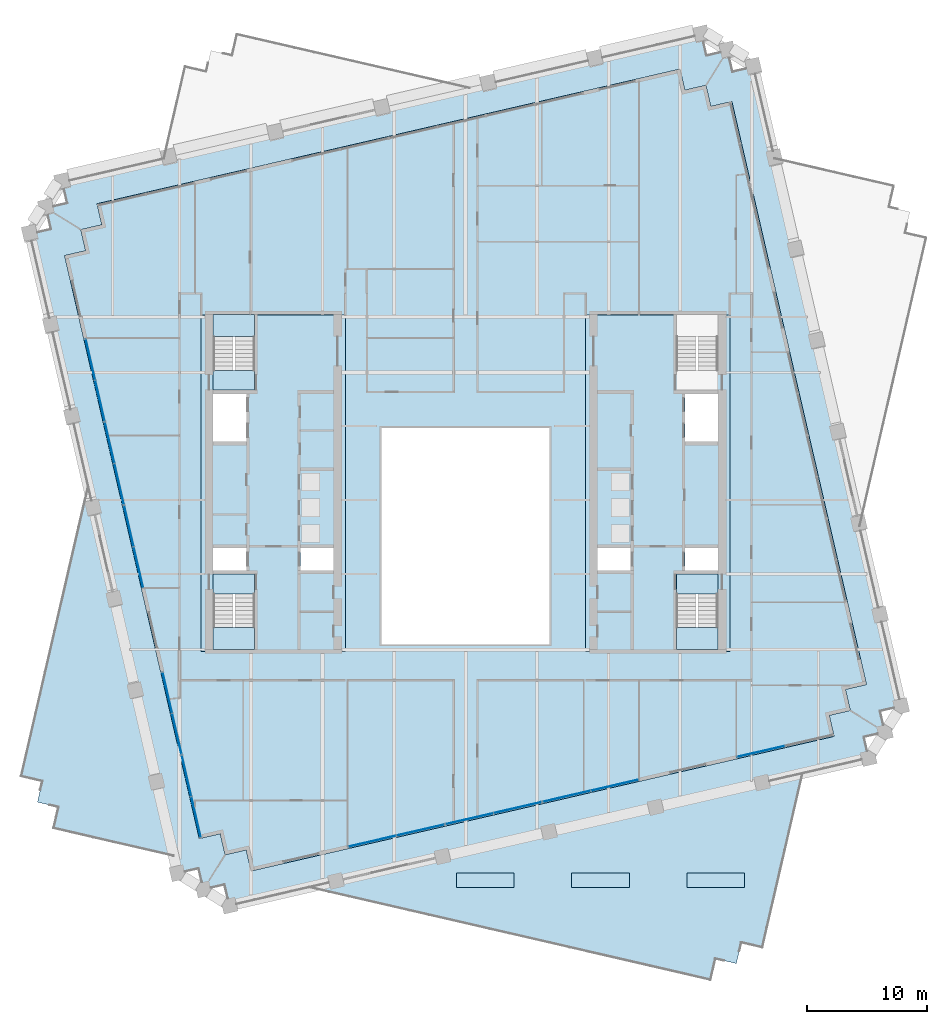
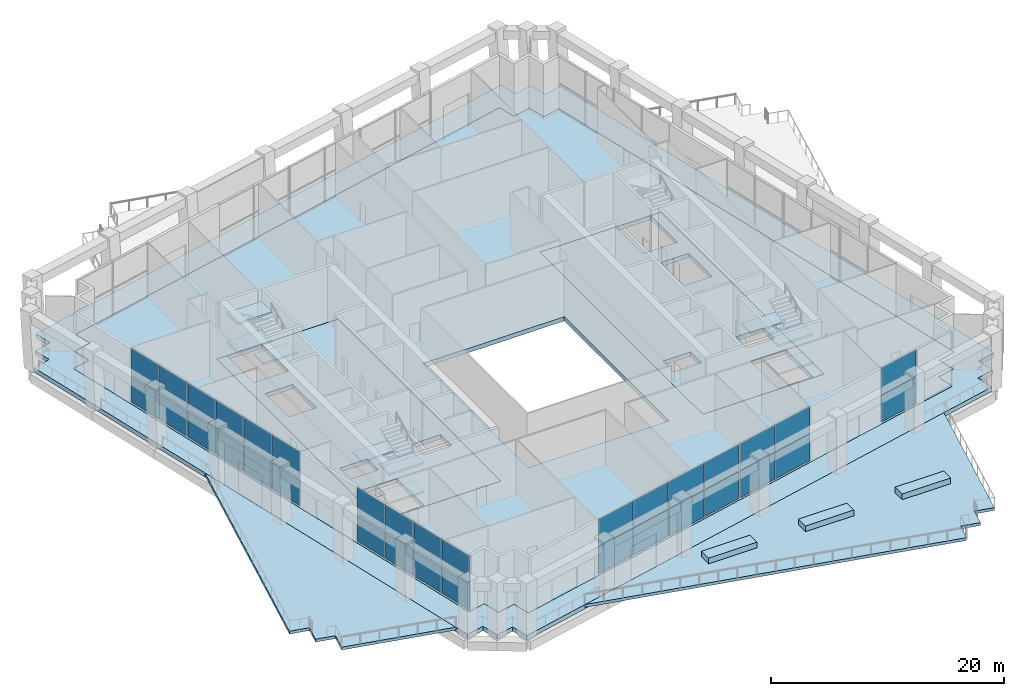
# One storey, part 10 of 24: 34 plates, 18 slabs, 12 elements without a shape of their own.
"""IFC4 building model written with IfcOpenShell, lengths in metres."""

from ifc_helpers import new_model, si_unit, direction, frame, origin, origin_2d, place, context, subcontext, project, spatial, polyline, rectangle, outline, extrude, material, layer, layer_set, type_object, element, aggregate, save


model = new_model("IFC4")

# Units and contexts
model_context = context("Model", 3, precision=1e-05, world=origin(), true_north=direction((0.0, 1.0)))
body_context = subcontext(model_context, "Body", "Model", "MODEL_VIEW")
ifc_project = project(units=[si_unit("LENGTHUNIT", "METRE"), si_unit("AREAUNIT", "SQUARE_METRE"), si_unit("VOLUMEUNIT", "CUBIC_METRE"), si_unit("PLANEANGLEUNIT", "RADIAN"), si_unit("MASSUNIT", "GRAM", prefix="KILO")], contexts=[model_context])

# Site, building, storey
site_placement = place(None, origin())
site = spatial("IfcSite", under=ifc_project, at=site_placement, CompositionType="ELEMENT")
building_placement = place(site_placement, origin())
building = spatial("IfcBuilding", under=site, at=building_placement, Name="Ogive Exchange Tower", CompositionType="ELEMENT")
storey_placement = place(building_placement, frame((0.0, 0.0, 165.60009765625)))
storey = spatial("IfcBuildingStorey", under=building, at=storey_placement, Name="L36", CompositionType="ELEMENT", Elevation=165.60009765625)

# Slabs
ifc_material_1 = material(Name="Concrete C70/85", Category="concrete")
ifc_layer_1 = layer(ifc_material_1, 0.449951171875)
ifc_layer_set_1 = layer_set([ifc_layer_1], Name="Core floor slab 450")
slab_type_1 = type_object("IfcSlabType", Name="Core floor slab 450", PredefinedType="FLOOR", material=ifc_layer_set_1)
slab_1_placement = place(storey_placement, frame((0.0, 0.0, -0.4501953125)))
element("IfcSlab", 1, at=slab_1_placement, inside=storey, type_object=slab_type_1, Name="Core floor slab", PredefinedType="FLOOR", context=body_context, shape_type="SweptSolid", body=[
    extrude(outline(polyline([(-10.0, 25.39990234375), (-10.0, -2.60009765625), (-22.0, -2.60009765625), (-22.0, 25.39990234375), (-21.0, 25.39990234375), (-21.0, 20.803955078125), (-17.550048828125, 20.803955078125), (-17.550048828125, 25.39990234375), (-10.0, 25.39990234375)]), holes=[polyline([(-17.550048828125, 2.196044921875), (-21.0, 2.196044921875), (-21.0, -2.449951171875), (-17.550048828125, -2.449951171875), (-17.550048828125, 2.196044921875)]), polyline([(-21.0, 5.992919921875), (-21.0, 4.14990234375), (-18.25, 4.14990234375), (-18.25, 5.992919921875), (-21.0, 5.992919921875)]), polyline([(-13.75, 5.992919921875), (-13.75, 4.14990234375), (-11.0, 4.14990234375), (-11.0, 5.992919921875), (-13.75, 5.992919921875)]), polyline([(-18.25, 18.85009765625), (-21.0, 18.85009765625), (-21.0, 14.8642578125), (-18.25, 14.8642578125), (-18.25, 18.85009765625)])]), origin(), (0.0, 0.0, 1.0), 0.4501953125),
])
slab_2_placement = place(storey_placement, frame((0.0, 0.0, -0.4501953125)))
element("IfcSlab", 2, at=slab_2_placement, inside=storey, type_object=slab_type_1, Name="Core floor slab", PredefinedType="FLOOR", context=body_context, shape_type="SweptSolid", body=[
    extrude(outline(polyline([(22.0, 25.39990234375), (22.0, -2.60009765625), (10.0, -2.60009765625), (10.0, 25.39990234375), (17.550048828125, 25.39990234375), (17.550048828125, 20.803955078125), (21.0, 20.803955078125), (21.0, 25.39990234375), (22.0, 25.39990234375)]), holes=[polyline([(21.0, 2.196044921875), (17.550048828125, 2.196044921875), (17.550048828125, -2.449951171875), (21.0, -2.449951171875), (21.0, 2.196044921875)]), polyline([(11.0, 5.992919921875), (11.0, 4.14990234375), (13.75, 4.14990234375), (13.75, 5.992919921875), (11.0, 5.992919921875)]), polyline([(18.25, 5.992919921875), (18.25, 4.14990234375), (21.0, 4.14990234375), (21.0, 5.992919921875), (18.25, 5.992919921875)]), polyline([(21.0, 18.85009765625), (18.25, 18.85009765625), (18.25, 14.8642578125), (21.0, 14.8642578125), (21.0, 18.85009765625)])]), origin(), (0.0, 0.0, 1.0), 0.4501953125),
])

# Curtain wall, plates
ifc_material_2 = material(Name="Anodised aluminium and clear glass", Category="aluminium")
curtain_wall_type = type_object("IfcCurtainWallType", Name="Winter garden glazing", PredefinedType="NOTDEFINED", material=ifc_material_2)
curtain_wall_1_placement = place(storey_placement, origin())
curtain_wall_1 = element("IfcCurtainWall", 3, at=curtain_wall_1_placement, inside=storey, type_object=curtain_wall_type, Name="Winter garden glazing run G2", PredefinedType="NOTDEFINED")
ifc_material_3 = material(Name="Clear glass", Category="glass")
ifc_layer_2 = layer(ifc_material_3, 0.035888671875)
ifc_layer_set_2 = layer_set([ifc_layer_2], Name="Laminated clear glass panel 36")
plate_type = type_object("IfcPlateType", Name="Laminated clear glass panel 36", PredefinedType="CURTAIN_PANEL", material=ifc_layer_set_2)
plate_1_placement = place(storey_placement, frame((-7.755859375, -18.38623046875, 0.080078125), z_axis=(0.0, 0.0, 1.0), x_axis=(0.974370073289, 0.224951017509, 0.0)))
plate_1 = element("IfcPlate", 4, at=plate_1_placement, type_object=plate_type, Name="G2 panel 1.1", PredefinedType="CURTAIN_PANEL", context=body_context, shape_type="SweptSolid", body=[
    extrude(rectangle(XDim=4.030029296875, YDim=0.035888671875, at=origin_2d()), origin(), (0.0, 0.0, 1.0), 2.780029296875),
])
plate_2_placement = place(storey_placement, frame((-7.755859375, -18.38623046875, 2.93994140625), z_axis=(0.0, 0.0, 1.0), x_axis=(0.974370073289, 0.224951017509, 0.0)))
plate_2 = element("IfcPlate", 5, at=plate_2_placement, type_object=plate_type, Name="G2 panel 1.2", PredefinedType="CURTAIN_PANEL", context=body_context, shape_type="SweptSolid", body=[
    extrude(rectangle(XDim=4.030029296875, YDim=0.035888671875, at=origin_2d()), origin(), (0.0, 0.0, 1.0), 2.780029296875),
])
plate_3_placement = place(storey_placement, frame((-3.751220703125, -17.461669921875, 0.080078125), z_axis=(0.0, 0.0, 1.0), x_axis=(0.974370073289, 0.224951017509, 0.0)))
plate_3 = element("IfcPlate", 6, at=plate_3_placement, type_object=plate_type, Name="G2 panel 2.1", PredefinedType="CURTAIN_PANEL", context=body_context, shape_type="SweptSolid", body=[
    extrude(rectangle(XDim=4.030029296875, YDim=0.035888671875, at=origin_2d()), origin(), (0.0, 0.0, 1.0), 2.780029296875),
])
plate_4_placement = place(storey_placement, frame((-3.751220703125, -17.461669921875, 2.93994140625), z_axis=(0.0, 0.0, 1.0), x_axis=(0.974370073289, 0.224951017509, 0.0)))
plate_4 = element("IfcPlate", 7, at=plate_4_placement, type_object=plate_type, Name="G2 panel 2.2", PredefinedType="CURTAIN_PANEL", context=body_context, shape_type="SweptSolid", body=[
    extrude(rectangle(XDim=4.030029296875, YDim=0.035888671875, at=origin_2d()), origin(), (0.0, 0.0, 1.0), 2.780029296875),
])
aggregate(curtain_wall_1, [plate_1, plate_2, plate_3, plate_4])

curtain_wall_2_placement = place(storey_placement, origin())
curtain_wall_2 = element("IfcCurtainWall", 8, at=curtain_wall_2_placement, inside=storey, type_object=curtain_wall_type, Name="Winter garden glazing run G3", PredefinedType="NOTDEFINED")
plate_5_placement = place(storey_placement, frame((0.331298828125, -16.519287109375, 0.080078125), z_axis=(0.0, 0.0, 1.0), x_axis=(0.974370073289, 0.224951017509, 0.0)))
plate_5 = element("IfcPlate", 9, at=plate_5_placement, type_object=plate_type, Name="G3 panel 1.1", PredefinedType="CURTAIN_PANEL", context=body_context, shape_type="SweptSolid", body=[
    extrude(rectangle(XDim=4.030029296875, YDim=0.035888671875, at=origin_2d()), origin(), (0.0, 0.0, 1.0), 2.780029296875),
])
plate_6_placement = place(storey_placement, frame((0.331298828125, -16.519287109375, 2.93994140625), z_axis=(0.0, 0.0, 1.0), x_axis=(0.974370073289, 0.224951017509, 0.0)))
plate_6 = element("IfcPlate", 10, at=plate_6_placement, type_object=plate_type, Name="G3 panel 1.2", PredefinedType="CURTAIN_PANEL", context=body_context, shape_type="SweptSolid", body=[
    extrude(rectangle(XDim=4.030029296875, YDim=0.035888671875, at=origin_2d()), origin(), (0.0, 0.0, 1.0), 2.780029296875),
])
plate_7_placement = place(storey_placement, frame((4.336181640625, -15.5947265625, 0.080078125), z_axis=(0.0, 0.0, 1.0), x_axis=(0.974370073289, 0.224951017509, 0.0)))
plate_7 = element("IfcPlate", 11, at=plate_7_placement, type_object=plate_type, Name="G3 panel 2.1", PredefinedType="CURTAIN_PANEL", context=body_context, shape_type="SweptSolid", body=[
    extrude(rectangle(XDim=4.030029296875, YDim=0.035888671875, at=origin_2d()), origin(), (0.0, 0.0, 1.0), 2.780029296875),
])
plate_8_placement = place(storey_placement, frame((4.336181640625, -15.5947265625, 2.93994140625), z_axis=(0.0, 0.0, 1.0), x_axis=(0.974370073289, 0.224951017509, 0.0)))
plate_8 = element("IfcPlate", 12, at=plate_8_placement, type_object=plate_type, Name="G3 panel 2.2", PredefinedType="CURTAIN_PANEL", context=body_context, shape_type="SweptSolid", body=[
    extrude(rectangle(XDim=4.030029296875, YDim=0.035888671875, at=origin_2d()), origin(), (0.0, 0.0, 1.0), 2.780029296875),
])
aggregate(curtain_wall_2, [plate_5, plate_6, plate_7, plate_8])

curtain_wall_3_placement = place(storey_placement, origin())
curtain_wall_3 = element("IfcCurtainWall", 13, at=curtain_wall_3_placement, inside=storey, type_object=curtain_wall_type, Name="Winter garden glazing run G4", PredefinedType="NOTDEFINED")
plate_9_placement = place(storey_placement, frame((8.418701171875, -14.652099609375, 0.080078125), z_axis=(0.0, 0.0, 1.0), x_axis=(0.974369463608, 0.224953658314, 0.0)))
plate_9 = element("IfcPlate", 14, at=plate_9_placement, type_object=plate_type, Name="G4 panel 1.1", PredefinedType="CURTAIN_PANEL", context=body_context, shape_type="SweptSolid", body=[
    extrude(rectangle(XDim=4.030029296875, YDim=0.035888671875, at=origin_2d()), origin(), (0.0, 0.0, 1.0), 2.780029296875),
])
plate_10_placement = place(storey_placement, frame((8.418701171875, -14.652099609375, 2.93994140625), z_axis=(0.0, 0.0, 1.0), x_axis=(0.974369463608, 0.224953658314, 0.0)))
plate_10 = element("IfcPlate", 15, at=plate_10_placement, type_object=plate_type, Name="G4 panel 1.2", PredefinedType="CURTAIN_PANEL", context=body_context, shape_type="SweptSolid", body=[
    extrude(rectangle(XDim=4.030029296875, YDim=0.035888671875, at=origin_2d()), origin(), (0.0, 0.0, 1.0), 2.780029296875),
])
plate_11_placement = place(storey_placement, frame((12.42333984375, -13.7275390625, 0.080078125), z_axis=(0.0, 0.0, 1.0), x_axis=(0.974369463608, 0.224953658314, 0.0)))
plate_11 = element("IfcPlate", 16, at=plate_11_placement, type_object=plate_type, Name="G4 panel 2.1", PredefinedType="CURTAIN_PANEL", context=body_context, shape_type="SweptSolid", body=[
    extrude(rectangle(XDim=4.030029296875, YDim=0.035888671875, at=origin_2d()), origin(), (0.0, 0.0, 1.0), 2.780029296875),
])
plate_12_placement = place(storey_placement, frame((12.42333984375, -13.7275390625, 2.93994140625), z_axis=(0.0, 0.0, 1.0), x_axis=(0.974369463608, 0.224953658314, 0.0)))
plate_12 = element("IfcPlate", 17, at=plate_12_placement, type_object=plate_type, Name="G4 panel 2.2", PredefinedType="CURTAIN_PANEL", context=body_context, shape_type="SweptSolid", body=[
    extrude(rectangle(XDim=4.030029296875, YDim=0.035888671875, at=origin_2d()), origin(), (0.0, 0.0, 1.0), 2.780029296875),
])
aggregate(curtain_wall_3, [plate_9, plate_10, plate_11, plate_12])

curtain_wall_4_placement = place(storey_placement, origin())
curtain_wall_4 = element("IfcCurtainWall", 18, at=curtain_wall_4_placement, inside=storey, type_object=curtain_wall_type, Name="Winter garden glazing run G6", PredefinedType="NOTDEFINED")
plate_13_placement = place(storey_placement, frame((24.59326171875, -10.91796875, 0.080078125), z_axis=(0.0, 0.0, 1.0), x_axis=(0.974370073289, 0.224951017509, 0.0)))
plate_13 = element("IfcPlate", 19, at=plate_13_placement, type_object=plate_type, Name="G6 panel 1.1", PredefinedType="CURTAIN_PANEL", context=body_context, shape_type="SweptSolid", body=[
    extrude(rectangle(XDim=4.030029296875, YDim=0.035888671875, at=origin_2d()), origin(), (0.0, 0.0, 1.0), 2.780029296875),
])
plate_14_placement = place(storey_placement, frame((24.59326171875, -10.91796875, 2.93994140625), z_axis=(0.0, 0.0, 1.0), x_axis=(0.974370073289, 0.224951017509, 0.0)))
plate_14 = element("IfcPlate", 20, at=plate_14_placement, type_object=plate_type, Name="G6 panel 1.2", PredefinedType="CURTAIN_PANEL", context=body_context, shape_type="SweptSolid", body=[
    extrude(rectangle(XDim=4.030029296875, YDim=0.035888671875, at=origin_2d()), origin(), (0.0, 0.0, 1.0), 2.780029296875),
])
aggregate(curtain_wall_4, [plate_13, plate_14])

curtain_wall_5_placement = place(storey_placement, origin())
curtain_wall_5 = element("IfcCurtainWall", 21, at=curtain_wall_5_placement, inside=storey, type_object=curtain_wall_type, Name="Winter garden glazing run G21", PredefinedType="NOTDEFINED")
plate_15_placement = place(storey_placement, frame((-31.2197265625, 21.699951171875, 0.080078125), z_axis=(0.0, 0.0, 1.0), x_axis=(0.224957031035, -0.974368684938, 0.0)))
plate_15 = element("IfcPlate", 22, at=plate_15_placement, type_object=plate_type, Name="G21 panel 1.1", PredefinedType="CURTAIN_PANEL", context=body_context, shape_type="SweptSolid", body=[
    extrude(rectangle(XDim=3.43701171875, YDim=0.035888671875, at=origin_2d()), origin(), (0.0, 0.0, 1.0), 2.780029296875),
])
plate_16_placement = place(storey_placement, frame((-31.2197265625, 21.699951171875, 2.93994140625), z_axis=(0.0, 0.0, 1.0), x_axis=(0.224957031035, -0.974368684938, 0.0)))
plate_16 = element("IfcPlate", 23, at=plate_16_placement, type_object=plate_type, Name="G21 panel 1.2", PredefinedType="CURTAIN_PANEL", context=body_context, shape_type="SweptSolid", body=[
    extrude(rectangle(XDim=3.43701171875, YDim=0.035888671875, at=origin_2d()), origin(), (0.0, 0.0, 1.0), 2.780029296875),
])
plate_17_placement = place(storey_placement, frame((-30.428466796875, 18.27294921875, 0.080078125), z_axis=(0.0, 0.0, 1.0), x_axis=(0.224957031035, -0.974368684938, 0.0)))
plate_17 = element("IfcPlate", 24, at=plate_17_placement, type_object=plate_type, Name="G21 panel 2.1", PredefinedType="CURTAIN_PANEL", context=body_context, shape_type="SweptSolid", body=[
    extrude(rectangle(XDim=3.43701171875, YDim=0.035888671875, at=origin_2d()), origin(), (0.0, 0.0, 1.0), 2.780029296875),
])
plate_18_placement = place(storey_placement, frame((-30.428466796875, 18.27294921875, 2.93994140625), z_axis=(0.0, 0.0, 1.0), x_axis=(0.224957031035, -0.974368684938, 0.0)))
plate_18 = element("IfcPlate", 25, at=plate_18_placement, type_object=plate_type, Name="G21 panel 2.2", PredefinedType="CURTAIN_PANEL", context=body_context, shape_type="SweptSolid", body=[
    extrude(rectangle(XDim=3.43701171875, YDim=0.035888671875, at=origin_2d()), origin(), (0.0, 0.0, 1.0), 2.780029296875),
])
aggregate(curtain_wall_5, [plate_15, plate_16, plate_17, plate_18])

curtain_wall_6_placement = place(storey_placement, origin())
curtain_wall_6 = element("IfcCurtainWall", 26, at=curtain_wall_6_placement, inside=storey, type_object=curtain_wall_type, Name="Winter garden glazing run G22", PredefinedType="NOTDEFINED")
plate_19_placement = place(storey_placement, frame((-29.619384765625, 14.76806640625, 0.080078125), z_axis=(0.0, 0.0, 1.0), x_axis=(0.224940605185, -0.974372477105, 0.0)))
plate_19 = element("IfcPlate", 27, at=plate_19_placement, type_object=plate_type, Name="G22 panel 1.1", PredefinedType="CURTAIN_PANEL", context=body_context, shape_type="SweptSolid", body=[
    extrude(rectangle(XDim=3.437255859375, YDim=0.035888671875, at=origin_2d()), origin(), (0.0, 0.0, 1.0), 2.780029296875),
])
plate_20_placement = place(storey_placement, frame((-29.619384765625, 14.76806640625, 2.93994140625), z_axis=(0.0, 0.0, 1.0), x_axis=(0.224940605185, -0.974372477105, 0.0)))
plate_20 = element("IfcPlate", 28, at=plate_20_placement, type_object=plate_type, Name="G22 panel 1.2", PredefinedType="CURTAIN_PANEL", context=body_context, shape_type="SweptSolid", body=[
    extrude(rectangle(XDim=3.437255859375, YDim=0.035888671875, at=origin_2d()), origin(), (0.0, 0.0, 1.0), 2.780029296875),
])
plate_21_placement = place(storey_placement, frame((-28.828125, 11.341064453125, 0.080078125), z_axis=(0.0, 0.0, 1.0), x_axis=(0.224940605185, -0.974372477105, 0.0)))
plate_21 = element("IfcPlate", 29, at=plate_21_placement, type_object=plate_type, Name="G22 panel 2.1", PredefinedType="CURTAIN_PANEL", context=body_context, shape_type="SweptSolid", body=[
    extrude(rectangle(XDim=3.437255859375, YDim=0.035888671875, at=origin_2d()), origin(), (0.0, 0.0, 1.0), 2.780029296875),
])
plate_22_placement = place(storey_placement, frame((-28.828125, 11.341064453125, 2.93994140625), z_axis=(0.0, 0.0, 1.0), x_axis=(0.224940605185, -0.974372477105, 0.0)))
plate_22 = element("IfcPlate", 30, at=plate_22_placement, type_object=plate_type, Name="G22 panel 2.2", PredefinedType="CURTAIN_PANEL", context=body_context, shape_type="SweptSolid", body=[
    extrude(rectangle(XDim=3.437255859375, YDim=0.035888671875, at=origin_2d()), origin(), (0.0, 0.0, 1.0), 2.780029296875),
])
aggregate(curtain_wall_6, [plate_19, plate_20, plate_21, plate_22])

curtain_wall_7_placement = place(storey_placement, origin())
curtain_wall_7 = element("IfcCurtainWall", 31, at=curtain_wall_7_placement, inside=storey, type_object=curtain_wall_type, Name="Winter garden glazing run G23", PredefinedType="NOTDEFINED")
plate_23_placement = place(storey_placement, frame((-28.01904296875, 7.836181640625, 0.080078125), z_axis=(0.0, 0.0, 1.0), x_axis=(0.224957031035, -0.974368684938, 0.0)))
plate_23 = element("IfcPlate", 32, at=plate_23_placement, type_object=plate_type, Name="G23 panel 1.1", PredefinedType="CURTAIN_PANEL", context=body_context, shape_type="SweptSolid", body=[
    extrude(rectangle(XDim=3.43701171875, YDim=0.035888671875, at=origin_2d()), origin(), (0.0, 0.0, 1.0), 2.780029296875),
])
plate_24_placement = place(storey_placement, frame((-28.01904296875, 7.836181640625, 2.93994140625), z_axis=(0.0, 0.0, 1.0), x_axis=(0.224957031035, -0.974368684938, 0.0)))
plate_24 = element("IfcPlate", 33, at=plate_24_placement, type_object=plate_type, Name="G23 panel 1.2", PredefinedType="CURTAIN_PANEL", context=body_context, shape_type="SweptSolid", body=[
    extrude(rectangle(XDim=3.43701171875, YDim=0.035888671875, at=origin_2d()), origin(), (0.0, 0.0, 1.0), 2.780029296875),
])
plate_25_placement = place(storey_placement, frame((-27.227783203125, 4.4091796875, 0.080078125), z_axis=(0.0, 0.0, 1.0), x_axis=(0.224957031035, -0.974368684938, 0.0)))
plate_25 = element("IfcPlate", 34, at=plate_25_placement, type_object=plate_type, Name="G23 panel 2.1", PredefinedType="CURTAIN_PANEL", context=body_context, shape_type="SweptSolid", body=[
    extrude(rectangle(XDim=3.43701171875, YDim=0.035888671875, at=origin_2d()), origin(), (0.0, 0.0, 1.0), 2.780029296875),
])
plate_26_placement = place(storey_placement, frame((-27.227783203125, 4.4091796875, 2.93994140625), z_axis=(0.0, 0.0, 1.0), x_axis=(0.224957031035, -0.974368684938, 0.0)))
plate_26 = element("IfcPlate", 35, at=plate_26_placement, type_object=plate_type, Name="G23 panel 2.2", PredefinedType="CURTAIN_PANEL", context=body_context, shape_type="SweptSolid", body=[
    extrude(rectangle(XDim=3.43701171875, YDim=0.035888671875, at=origin_2d()), origin(), (0.0, 0.0, 1.0), 2.780029296875),
])
aggregate(curtain_wall_7, [plate_23, plate_24, plate_25, plate_26])

curtain_wall_8_placement = place(storey_placement, origin())
curtain_wall_8 = element("IfcCurtainWall", 36, at=curtain_wall_8_placement, inside=storey, type_object=curtain_wall_type, Name="Winter garden glazing run G25", PredefinedType="NOTDEFINED")
plate_27_placement = place(storey_placement, frame((-24.818115234375, -6.02783203125, 0.080078125), z_axis=(0.0, 0.0, 1.0), x_axis=(0.224943685993, -0.974371765874, 0.0)))
plate_27 = element("IfcPlate", 37, at=plate_27_placement, type_object=plate_type, Name="G25 panel 1.1", PredefinedType="CURTAIN_PANEL", context=body_context, shape_type="SweptSolid", body=[
    extrude(rectangle(XDim=3.43701171875, YDim=0.035888671875, at=origin_2d()), origin(), (0.0, 0.0, 1.0), 2.780029296875),
])
plate_28_placement = place(storey_placement, frame((-24.818115234375, -6.02783203125, 2.93994140625), z_axis=(0.0, 0.0, 1.0), x_axis=(0.224943685993, -0.974371765874, 0.0)))
plate_28 = element("IfcPlate", 38, at=plate_28_placement, type_object=plate_type, Name="G25 panel 1.2", PredefinedType="CURTAIN_PANEL", context=body_context, shape_type="SweptSolid", body=[
    extrude(rectangle(XDim=3.43701171875, YDim=0.035888671875, at=origin_2d()), origin(), (0.0, 0.0, 1.0), 2.780029296875),
])
plate_29_placement = place(storey_placement, frame((-24.027099609375, -9.454833984375, 0.080078125), z_axis=(0.0, 0.0, 1.0), x_axis=(0.224943685993, -0.974371765874, 0.0)))
plate_29 = element("IfcPlate", 39, at=plate_29_placement, type_object=plate_type, Name="G25 panel 2.1", PredefinedType="CURTAIN_PANEL", context=body_context, shape_type="SweptSolid", body=[
    extrude(rectangle(XDim=3.43701171875, YDim=0.035888671875, at=origin_2d()), origin(), (0.0, 0.0, 1.0), 2.780029296875),
])
plate_30_placement = place(storey_placement, frame((-24.027099609375, -9.454833984375, 2.93994140625), z_axis=(0.0, 0.0, 1.0), x_axis=(0.224943685993, -0.974371765874, 0.0)))
plate_30 = element("IfcPlate", 40, at=plate_30_placement, type_object=plate_type, Name="G25 panel 2.2", PredefinedType="CURTAIN_PANEL", context=body_context, shape_type="SweptSolid", body=[
    extrude(rectangle(XDim=3.43701171875, YDim=0.035888671875, at=origin_2d()), origin(), (0.0, 0.0, 1.0), 2.780029296875),
])
aggregate(curtain_wall_8, [plate_27, plate_28, plate_29, plate_30])

curtain_wall_9_placement = place(storey_placement, origin())
curtain_wall_9 = element("IfcCurtainWall", 41, at=curtain_wall_9_placement, inside=storey, type_object=curtain_wall_type, Name="Winter garden glazing run G26", PredefinedType="NOTDEFINED")
plate_31_placement = place(storey_placement, frame((-23.218017578125, -12.959716796875, 0.080078125), z_axis=(0.0, 0.0, 1.0), x_axis=(0.224953950051, -0.974369396254, 0.0)))
plate_31 = element("IfcPlate", 42, at=plate_31_placement, type_object=plate_type, Name="G26 panel 1.1", PredefinedType="CURTAIN_PANEL", context=body_context, shape_type="SweptSolid", body=[
    extrude(rectangle(XDim=3.437255859375, YDim=0.035888671875, at=origin_2d()), origin(), (0.0, 0.0, 1.0), 2.780029296875),
])
plate_32_placement = place(storey_placement, frame((-23.218017578125, -12.959716796875, 2.93994140625), z_axis=(0.0, 0.0, 1.0), x_axis=(0.224953950051, -0.974369396254, 0.0)))
plate_32 = element("IfcPlate", 43, at=plate_32_placement, type_object=plate_type, Name="G26 panel 1.2", PredefinedType="CURTAIN_PANEL", context=body_context, shape_type="SweptSolid", body=[
    extrude(rectangle(XDim=3.437255859375, YDim=0.035888671875, at=origin_2d()), origin(), (0.0, 0.0, 1.0), 2.780029296875),
])
plate_33_placement = place(storey_placement, frame((-22.4267578125, -16.38671875, 0.080078125), z_axis=(0.0, 0.0, 1.0), x_axis=(0.224953950051, -0.974369396254, 0.0)))
plate_33 = element("IfcPlate", 44, at=plate_33_placement, type_object=plate_type, Name="G26 panel 2.1", PredefinedType="CURTAIN_PANEL", context=body_context, shape_type="SweptSolid", body=[
    extrude(rectangle(XDim=3.437255859375, YDim=0.035888671875, at=origin_2d()), origin(), (0.0, 0.0, 1.0), 2.780029296875),
])
plate_34_placement = place(storey_placement, frame((-22.4267578125, -16.38671875, 2.93994140625), z_axis=(0.0, 0.0, 1.0), x_axis=(0.224953950051, -0.974369396254, 0.0)))
plate_34 = element("IfcPlate", 45, at=plate_34_placement, type_object=plate_type, Name="G26 panel 2.2", PredefinedType="CURTAIN_PANEL", context=body_context, shape_type="SweptSolid", body=[
    extrude(rectangle(XDim=3.437255859375, YDim=0.035888671875, at=origin_2d()), origin(), (0.0, 0.0, 1.0), 2.780029296875),
])
aggregate(curtain_wall_9, [plate_31, plate_32, plate_33, plate_34])

# Slabs
ifc_material_4 = material(Name="Concrete C50/60", Category="concrete")
ifc_layer_3 = layer(ifc_material_4, 0.449951171875)
ifc_layer_set_3 = layer_set([ifc_layer_3], Name="Loggia deck 450")
slab_type_2 = type_object("IfcSlabType", Name="Loggia deck 450", PredefinedType="FLOOR", material=ifc_layer_set_3)
slab_3_placement = place(storey_placement, frame((0.0, 0.0, -0.4501953125)))
element("IfcSlab", 46, at=slab_3_placement, inside=storey, type_object=slab_type_2, Name="Loggia deck", PredefinedType="FLOOR", context=body_context, shape_type="SweptSolid", body=[
    extrude(outline(polyline([(-21.80810546875, -22.400146484375), (-22.212890625, -20.646484375), (-23.966796875, -21.05126953125), (-36.249267578125, 32.1494140625), (-34.495361328125, 32.55419921875), (-34.900146484375, 34.30810546875), (-33.146484375, 34.712890625), (-33.55126953125, 36.466796875), (19.6494140625, 48.749267578125), (20.05419921875, 46.995361328125), (21.80810546875, 47.400146484375), (22.212890625, 45.646484375), (23.966796875, 46.05126953125), (36.249267578125, -7.1494140625), (34.495361328125, -7.55419921875), (34.900146484375, -9.30810546875), (33.146484375, -9.712890625), (33.55126953125, -11.466796875), (-19.6494140625, -23.749267578125), (-20.05419921875, -21.995361328125), (-21.80810546875, -22.400146484375)]), holes=[polyline([(30.26806640625, -7.914306640625), (32.02197265625, -7.509521484375), (31.616943359375, -5.755615234375), (33.370849609375, -5.3505859375), (22.168212890625, 43.1728515625), (20.414306640625, 42.76806640625), (20.009521484375, 44.52197265625), (18.255615234375, 44.116943359375), (17.8505859375, 45.870849609375), (-30.6728515625, 34.668212890625), (-30.26806640625, 32.914306640625), (-32.02197265625, 32.509521484375), (-31.616943359375, 30.755615234375), (-33.370849609375, 30.3505859375), (-22.168212890625, -18.1728515625), (-20.414306640625, -17.76806640625), (-20.009521484375, -19.52197265625), (-18.255615234375, -19.116943359375), (-17.8505859375, -20.870849609375), (30.6728515625, -9.668212890625), (30.26806640625, -7.914306640625)])]), origin(), (0.0, 0.0, 1.0), 0.4501953125),
])
ifc_material_5 = material(Name="Precast concrete C40/50", Category="concrete")
ifc_layer_4 = layer(ifc_material_5, 0.60009765625)
ifc_layer_set_4 = layer_set([ifc_layer_4], Name="Planter box 4800 x 1200")
slab_type_3 = type_object("IfcSlabType", Name="Planter box 4800 x 1200", PredefinedType="USERDEFINED", material=ifc_layer_set_4)
for number, where, z_axis, x_axis, name in (
    (47, (1.629150390625, -21.638916015625, -0.000244140625), (0.0, 0.0, 1.0), (1.0, 0.0, 0.0), "PLANTER 1"),
    (48, (11.22900390625, -21.638916015625, -0.000244140625), (0.0, 0.0, 1.0), (1.0, 0.0, 0.0), "PLANTER 2"),
    (49, (20.8291015625, -21.638916015625, -0.000244140625), (0.0, 0.0, 1.0), (1.0, 0.0, 0.0), "PLANTER 3"),
):
    element("IfcSlab", number, at=place(storey_placement, frame(where, z_axis=z_axis, x_axis=x_axis)), inside=storey, type_object=slab_type_3, Name=name, ObjectType="PLANTER", PredefinedType="USERDEFINED", context=body_context, shape_type="SweptSolid", body=[
        extrude(rectangle(XDim=4.800048828125, YDim=1.199951171875, at=origin_2d()), origin(), (0.0, 0.0, 1.0), 0.60009765625),
    ])

# Stair, slabs
ifc_material_6 = material(Name="Concrete C40/50", Category="concrete")
stair_type = type_object("IfcStairType", Name="Exit stair 1650 wide", PredefinedType="HALF_TURN_STAIR", material=ifc_material_6)
stair_1_placement = place(storey_placement, origin())
stair_1 = element("IfcStair", 50, at=stair_1_placement, inside=storey, type_object=stair_type, Name="L36 exit stair ST1", PredefinedType="HALF_TURN_STAIR")
ifc_layer_5 = layer(ifc_material_6, 0.199951171875)
ifc_layer_set_5 = layer_set([ifc_layer_5], Name="Stair landing 200 slab")
slab_type_4 = type_object("IfcSlabType", Name="Stair landing 200 slab", PredefinedType="LANDING", material=ifc_layer_set_5)
slab_4_placement = place(storey_placement, frame((0.0, 0.0, 1.2998046875)))
slab_4 = element("IfcSlab", 51, at=slab_4_placement, type_object=slab_type_4, Name="ST1 landing 1", PredefinedType="LANDING", context=body_context, shape_type="SweptSolid", body=[
    extrude(outline(polyline([(-21.0, -0.60791015625), (-21.0, -2.449951171875), (-17.550048828125, -2.449951171875), (-17.550048828125, -0.60791015625), (-21.0, -0.60791015625)])), origin(), (0.0, 0.0, 1.0), 0.2001953125),
])
slab_5_placement = place(storey_placement, frame((0.0, 0.0, 2.7998046875)))
slab_5 = element("IfcSlab", 52, at=slab_5_placement, type_object=slab_type_4, Name="ST1 landing 2", PredefinedType="LANDING", context=body_context, shape_type="SweptSolid", body=[
    extrude(outline(polyline([(-21.0, 3.85009765625), (-21.0, 2.199951171875), (-17.550048828125, 2.199951171875), (-17.550048828125, 3.85009765625), (-21.0, 3.85009765625)])), origin(), (0.0, 0.0, 1.0), 0.2001953125),
])
slab_6_placement = place(storey_placement, frame((0.0, 0.0, 4.2998046875)))
slab_6 = element("IfcSlab", 53, at=slab_6_placement, type_object=slab_type_4, Name="ST1 landing 3", PredefinedType="LANDING", context=body_context, shape_type="SweptSolid", body=[
    extrude(outline(polyline([(-21.0, -0.60791015625), (-21.0, -2.449951171875), (-17.550048828125, -2.449951171875), (-17.550048828125, -0.60791015625), (-21.0, -0.60791015625)])), origin(), (0.0, 0.0, 1.0), 0.2001953125),
])
aggregate(stair_1, [slab_4, slab_5, slab_6])

stair_2_placement = place(storey_placement, origin())
stair_2 = element("IfcStair", 54, at=stair_2_placement, inside=storey, type_object=stair_type, Name="L36 exit stair ST2", PredefinedType="HALF_TURN_STAIR")
slab_7_placement = place(storey_placement, frame((0.0, 0.0, 1.2998046875)))
slab_7 = element("IfcSlab", 55, at=slab_7_placement, type_object=slab_type_4, Name="ST2 landing 1", PredefinedType="LANDING", context=body_context, shape_type="SweptSolid", body=[
    extrude(outline(polyline([(-17.550048828125, 23.60791015625), (-17.550048828125, 25.449951171875), (-21.0, 25.449951171875), (-21.0, 23.60791015625), (-17.550048828125, 23.60791015625)])), origin(), (0.0, 0.0, 1.0), 0.2001953125),
])
slab_8_placement = place(storey_placement, frame((0.0, 0.0, 2.7998046875)))
slab_8 = element("IfcSlab", 56, at=slab_8_placement, type_object=slab_type_4, Name="ST2 landing 2", PredefinedType="LANDING", context=body_context, shape_type="SweptSolid", body=[
    extrude(outline(polyline([(-17.550048828125, 19.14990234375), (-17.550048828125, 20.800048828125), (-21.0, 20.800048828125), (-21.0, 19.14990234375), (-17.550048828125, 19.14990234375)])), origin(), (0.0, 0.0, 1.0), 0.2001953125),
])
slab_9_placement = place(storey_placement, frame((0.0, 0.0, 4.2998046875)))
slab_9 = element("IfcSlab", 57, at=slab_9_placement, type_object=slab_type_4, Name="ST2 landing 3", PredefinedType="LANDING", context=body_context, shape_type="SweptSolid", body=[
    extrude(outline(polyline([(-17.550048828125, 23.60791015625), (-17.550048828125, 25.449951171875), (-21.0, 25.449951171875), (-21.0, 23.60791015625), (-17.550048828125, 23.60791015625)])), origin(), (0.0, 0.0, 1.0), 0.2001953125),
])
aggregate(stair_2, [slab_7, slab_8, slab_9])

stair_3_placement = place(storey_placement, origin())
stair_3 = element("IfcStair", 58, at=stair_3_placement, inside=storey, type_object=stair_type, Name="L36 exit stair ST3", PredefinedType="HALF_TURN_STAIR")
slab_10_placement = place(storey_placement, frame((0.0, 0.0, 1.2998046875)))
slab_10 = element("IfcSlab", 59, at=slab_10_placement, type_object=slab_type_4, Name="ST3 landing 1", PredefinedType="LANDING", context=body_context, shape_type="SweptSolid", body=[
    extrude(outline(polyline([(17.550048828125, -0.60791015625), (17.550048828125, -2.449951171875), (21.0, -2.449951171875), (21.0, -0.60791015625), (17.550048828125, -0.60791015625)])), origin(), (0.0, 0.0, 1.0), 0.2001953125),
])
slab_11_placement = place(storey_placement, frame((0.0, 0.0, 2.7998046875)))
slab_11 = element("IfcSlab", 60, at=slab_11_placement, type_object=slab_type_4, Name="ST3 landing 2", PredefinedType="LANDING", context=body_context, shape_type="SweptSolid", body=[
    extrude(outline(polyline([(17.550048828125, 3.85009765625), (17.550048828125, 2.199951171875), (21.0, 2.199951171875), (21.0, 3.85009765625), (17.550048828125, 3.85009765625)])), origin(), (0.0, 0.0, 1.0), 0.2001953125),
])
slab_12_placement = place(storey_placement, frame((0.0, 0.0, 4.2998046875)))
slab_12 = element("IfcSlab", 61, at=slab_12_placement, type_object=slab_type_4, Name="ST3 landing 3", PredefinedType="LANDING", context=body_context, shape_type="SweptSolid", body=[
    extrude(outline(polyline([(17.550048828125, -0.60791015625), (17.550048828125, -2.449951171875), (21.0, -2.449951171875), (21.0, -0.60791015625), (17.550048828125, -0.60791015625)])), origin(), (0.0, 0.0, 1.0), 0.2001953125),
])
aggregate(stair_3, [slab_10, slab_11, slab_12])

# Slabs
ifc_layer_6 = layer(ifc_material_4, 0.300048828125)
ifc_layer_set_6 = layer_set([ifc_layer_6], Name="Terrace deck 300")
slab_type_5 = type_object("IfcSlabType", Name="Terrace deck 300", PredefinedType="FLOOR", material=ifc_layer_set_6)
slab_13_placement = place(storey_placement, frame((0.0, 0.0, -0.300048828125)))
element("IfcSlab", 62, at=slab_13_placement, inside=storey, type_object=slab_type_5, Name="Terrace deck", PredefinedType="FLOOR", context=body_context, shape_type="SweptSolid", body=[
    extrude(outline(polyline([(22.94384765625, -26.815185546875), (22.538818359375, -28.569091796875), (20.784912109375, -28.1640625), (20.380126953125, -29.91796875), (-12.994384765625, -22.212890625), (9.94482421875, -16.916748046875), (28.040771484375, -12.739013671875), (24.697509765625, -27.219970703125), (22.94384765625, -26.815185546875)])), origin(), (0.0, 0.0, 1.0), 0.300048828125),
])
slab_14_placement = place(storey_placement, frame((0.0, 0.0, -0.300048828125)))
element("IfcSlab", 63, at=slab_14_placement, inside=storey, type_object=slab_type_5, Name="Terrace deck", PredefinedType="FLOOR", context=body_context, shape_type="SweptSolid", body=[
    extrude(outline(polyline([(-33.877197265625, -15.544189453125), (-35.631103515625, -15.139404296875), (-35.22607421875, -13.385498046875), (-36.97998046875, -12.980712890625), (-31.405029296875, 11.1669921875), (-26.678955078125, -9.303955078125), (-24.301513671875, -19.602294921875), (-34.281982421875, -17.298095703125), (-33.877197265625, -15.544189453125)])), origin(), (0.0, 0.0, 1.0), 0.300048828125),
])
ifc_layer_7 = layer(ifc_material_4, 0.449951171875)
ifc_layer_set_7 = layer_set([ifc_layer_7], Name="Transfer floor slab 450")
slab_type_6 = type_object("IfcSlabType", Name="Transfer floor slab 450", PredefinedType="FLOOR", material=ifc_layer_set_7)
slab_15_placement = place(storey_placement, frame((0.0, 0.0, -0.4501953125)))
element("IfcSlab", 64, at=slab_15_placement, inside=storey, type_object=slab_type_6, Name="Transfer floor slab", PredefinedType="FLOOR", context=body_context, shape_type="SweptSolid", body=[
    extrude(outline(polyline([(-18.255615234375, -19.116943359375), (-20.009521484375, -19.52197265625), (-20.414306640625, -17.76806640625), (-22.168212890625, -18.1728515625), (-33.370849609375, 30.3505859375), (-31.616943359375, 30.755615234375), (-32.02197265625, 32.509521484375), (-30.26806640625, 32.914306640625), (-30.6728515625, 34.668212890625), (17.8505859375, 45.870849609375), (18.255615234375, 44.116943359375), (20.009521484375, 44.52197265625), (20.414306640625, 42.76806640625), (22.168212890625, 43.1728515625), (33.370849609375, -5.3505859375), (31.616943359375, -5.755615234375), (32.02197265625, -7.509521484375), (30.26806640625, -7.914306640625), (30.6728515625, -9.668212890625), (-17.8505859375, -20.870849609375), (-18.255615234375, -19.116943359375)]), holes=[polyline([(7.0, -2.0), (7.0, 16.0), (-7.0, 16.0), (-7.0, -2.0), (7.0, -2.0)]), polyline([(-22.0, -2.60009765625), (-10.0, -2.60009765625), (-10.0, 25.39990234375), (-22.0, 25.39990234375), (-22.0, -2.60009765625)]), polyline([(10.0, -2.60009765625), (22.0, -2.60009765625), (22.0, 25.39990234375), (10.0, 25.39990234375), (10.0, -2.60009765625)])]), origin(), (0.0, 0.0, 1.0), 0.4501953125),
])

save(model, "model.ifc")
